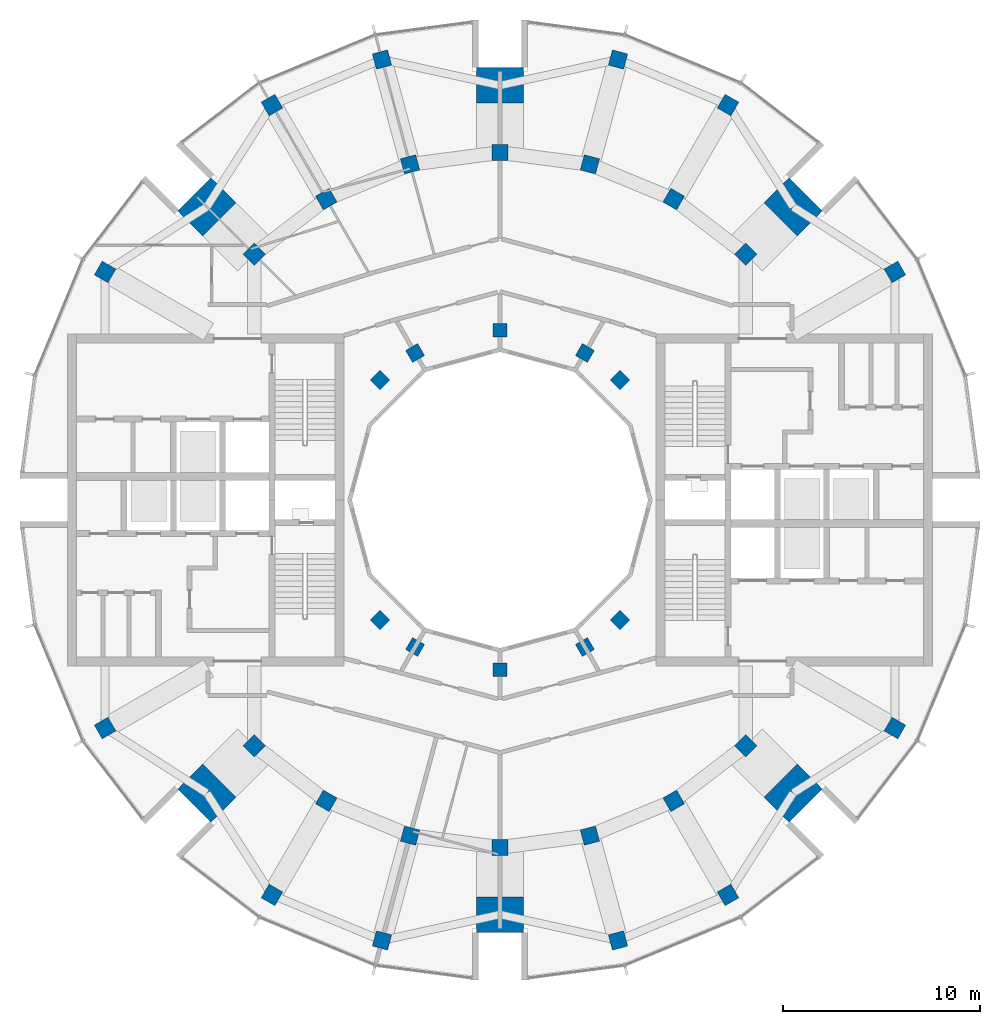
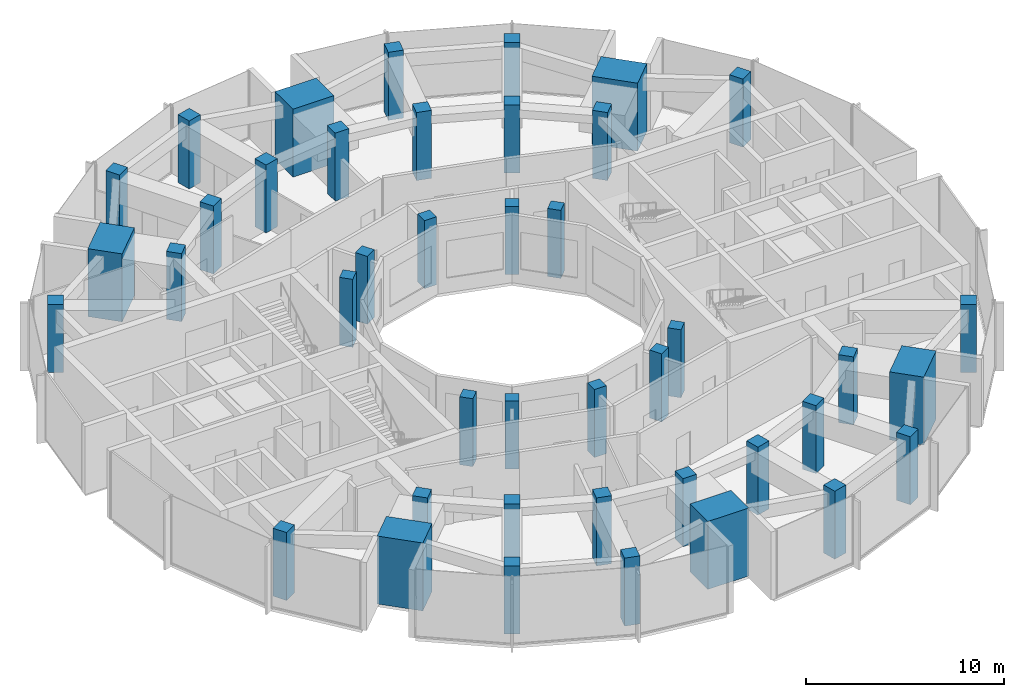
# One storey, part 1 of 14: 42 columns.
"""IFC4 building model written with IfcOpenShell, lengths in metres."""

import ifcopenshell
import ifcopenshell.guid

model = None  # the IFC model being written
_history = None  # IfcOwnerHistory: only IFC2X3 demands one
_inside = {}  # id of a spatial element -> (the spatial element, [elements in it])
_under = {}  # id of a project, library or spatial element -> (it, [spatial elements below it])
_declared = {}  # id of a project -> (the project, [libraries it declares])
_typed = {}  # id of a type object -> (the type object, [elements of that type])
_made_of = {}  # id of a material, layer set ... -> (it, [elements and type objects made of it])


def new_model(schema):
    """Start an empty IFC model of exactly this schema.

    Asked for "IFC4X3", IfcOpenShell would pick the latest addendum, in which some entities
    have other attributes; the version numbers below select the first issue.
    IFC2X3 requires an IfcOwnerHistory on every rooted entity: one is made here for all.
    """
    global model, _history
    if schema == "IFC4X3":
        model = ifcopenshell.file(schema_version=(4, 3, 0, 0))
    else:
        model = ifcopenshell.file(schema=schema)
    _inside.clear()
    _under.clear()
    _declared.clear()
    _typed.clear()
    _made_of.clear()
    _history = None
    if model.schema == "IFC2X3":
        org = make("IfcOrganization", Name="unknown")
        user = make(
            "IfcPersonAndOrganization",
            ThePerson=make("IfcPerson", FamilyName="unknown"),
            TheOrganization=org,
        )
        app = make(
            "IfcApplication",
            ApplicationDeveloper=org,
            Version="unknown",
            ApplicationFullName="unknown",
            ApplicationIdentifier="unknown",
        )
        _history = make(
            "IfcOwnerHistory",
            OwningUser=user,
            OwningApplication=app,
            ChangeAction="ADDED",
            CreationDate=0,
        )
    return model


def make(cls, **values):
    """One entity of the class cls with the attributes given. An attribute that is None is left unset."""
    return model.create_entity(
        cls, **{name: value for name, value in values.items() if value is not None}
    )


def rooted(cls, **values):
    """An entity with a GlobalId (a new one), such as an element, a storey or a relation."""
    return make(cls, GlobalId=ifcopenshell.guid.new(), OwnerHistory=_history, **values)


def si_unit(unit_type, name, prefix=None):
    """IfcSIUnit, for example si_unit("LENGTHUNIT", "METRE", prefix="MILLI")."""
    return make("IfcSIUnit", UnitType=unit_type, Prefix=prefix, Name=name)


def assignment(units):
    """IfcUnitAssignment: the units of a project."""
    return None if units is None else make("IfcUnitAssignment", Units=units)


def point(xyz):
    """IfcCartesianPoint."""
    return None if xyz is None else make("IfcCartesianPoint", Coordinates=xyz)


def direction(xyz):
    """IfcDirection."""
    return None if xyz is None else make("IfcDirection", DirectionRatios=xyz)


def frame(location, z_axis=None, x_axis=None):
    """IfcAxis2Placement3D, a coordinate frame: its origin and axes. An axis left out is left unset."""
    return make(
        "IfcAxis2Placement3D",
        Location=point(location),
        Axis=direction(z_axis),
        RefDirection=direction(x_axis),
    )


def frame_2d(location, x_axis=None):
    """IfcAxis2Placement2D, a coordinate frame in the plane: its origin and x axis."""
    return make(
        "IfcAxis2Placement2D", Location=point(location), RefDirection=direction(x_axis)
    )


def origin():
    """The frame at (0, 0, 0) with its axes left unset."""
    return frame((0.0, 0.0, 0.0))


def origin_2d():
    """The frame at (0, 0) in the plane with its x axis left unset."""
    return frame_2d((0.0, 0.0))


def place(relative_to, where):
    """IfcLocalPlacement: puts the frame where relative to a parent placement (None: the world)."""
    return make(
        "IfcLocalPlacement", PlacementRelTo=relative_to, RelativePlacement=where
    )


def context(
    kind, dimensions, precision=None, world=None, true_north=None, identifier=None
):
    """IfcGeometricRepresentationContext, for example the 3D "Model" context."""
    return make(
        "IfcGeometricRepresentationContext",
        ContextIdentifier=identifier,
        ContextType=kind,
        CoordinateSpaceDimension=dimensions,
        Precision=precision,
        WorldCoordinateSystem=world,
        TrueNorth=true_north,
    )


def subcontext(parent, identifier, kind, view, scale=None):
    """IfcGeometricRepresentationSubContext, for example "Body" below "Model"."""
    return make(
        "IfcGeometricRepresentationSubContext",
        ContextIdentifier=identifier,
        ContextType=kind,
        ParentContext=parent,
        TargetScale=scale,
        TargetView=view,
    )


def project(units=None, contexts=None):
    """IfcProject with its units and contexts."""
    return rooted(
        "IfcProject",
        Name="project",
        RepresentationContexts=contexts,
        UnitsInContext=assignment(units),
    )


def spatial(cls, under=None, at=None, **own):
    """A site, building, storey or space (cls), placed at a placement, below another one or the project."""
    s = rooted(cls, ObjectPlacement=at, **own)
    if under is not None:
        _under.setdefault(under.id(), (under, []))[1].append(s)
    return s


def profile(cls, at=None, kind="AREA", **sizes):
    """A parametric profile (cls). Its sizes go by their IFC names, for example OverallWidth=200.0."""
    return make(cls, ProfileType=kind, Position=at, **sizes)


def rectangle(**sizes):
    """IfcRectangleProfileDef."""
    return profile("IfcRectangleProfileDef", **sizes)


def extrude(swept, where, along, depth):
    """IfcExtrudedAreaSolid: the profile swept, set in the frame where, extruded along a direction by depth."""
    return make(
        "IfcExtrudedAreaSolid",
        SweptArea=swept,
        Position=where,
        ExtrudedDirection=direction(along),
        Depth=depth,
    )


def shape(context_of_items, identifier, shape_type, items):
    """IfcShapeRepresentation: the items that make up one representation, for example the "Body"."""
    return make(
        "IfcShapeRepresentation",
        ContextOfItems=context_of_items,
        RepresentationIdentifier=identifier,
        RepresentationType=shape_type,
        Items=items,
    )


def material(Name=None, Category=None):
    """IfcMaterial."""
    return make("IfcMaterial", Name=Name, Category=Category)


def material_profile(
    of_material, cross_section, Name=None, Category=None, Priority=None
):
    """IfcMaterialProfile: a cross section and its material."""
    return make(
        "IfcMaterialProfile",
        Name=Name,
        Material=of_material,
        Profile=cross_section,
        Priority=Priority,
        Category=Category,
    )


def profile_set(profiles, Name=None, composite=None):
    """IfcMaterialProfileSet."""
    return make(
        "IfcMaterialProfileSet",
        Name=Name,
        MaterialProfiles=profiles,
        CompositeProfile=composite,
    )


def made_of(thing, what):
    """Note that an element or type object is made of a material, layer set ...; save() writes the relation."""
    if what is not None:
        _made_of.setdefault(what.id(), (what, []))[1].append(thing)
    return thing


def type_object(cls, material=None, **own):
    """A type object (cls), such as IfcWallType, which elements share."""
    return made_of(rooted(cls, **own), material)


def element(
    cls,
    number,
    at=None,
    inside=None,
    cuts=None,
    type_object=None,
    material=None,
    context=None,
    identifier="Body",
    shape_type=None,
    held_by="IfcProductDefinitionShape",
    body=None,
    shapes=None,
    **own,
):
    """One element of the class cls, such as IfcWall. Its Tag is "e" and its number.

    at: its placement. inside: the storey or other place that contains it. cuts: it is an
    opening in that element (IfcRelVoidsElement). A single representation is given by context,
    identifier, shape_type and body (its items); several are given by shapes. held_by: the class
    of the entity that holds the representations. save() writes the other relations.
    """
    e = rooted(cls, Tag="e%d" % number, ObjectPlacement=at, **own)
    if body is not None:
        shapes = [shape(context, identifier, shape_type, body)]
    if shapes is not None:
        e.Representation = make(held_by, Representations=shapes)
    if inside is not None:
        _inside.setdefault(inside.id(), (inside, []))[1].append(e)
    if cuts is not None:
        rooted(
            "IfcRelVoidsElement", RelatingBuildingElement=cuts, RelatedOpeningElement=e
        )
    if type_object is not None:
        _typed.setdefault(type_object.id(), (type_object, []))[1].append(e)
    return made_of(e, material)


def aggregate(whole, parts):
    """IfcRelAggregates: a whole, such as a stair, and the parts it consists of."""
    return rooted("IfcRelAggregates", RelatingObject=whole, RelatedObjects=parts)


def save(model, path):
    """Write the relations noted so far, then the file.

    IfcRelAggregates (storeys below a building ...), IfcRelContainedInSpatialStructure (elements
    in a storey), IfcRelDefinesByType, IfcRelAssociatesMaterial and IfcRelDeclares: one each for
    every whole, place, type object, material and project.
    """
    for whole, parts in _under.values():
        aggregate(whole, parts)
    for where, things in _inside.values():
        rooted(
            "IfcRelContainedInSpatialStructure",
            RelatedElements=things,
            RelatingStructure=where,
        )
    for kind, things in _typed.values():
        rooted("IfcRelDefinesByType", RelatedObjects=things, RelatingType=kind)
    for what, things in _made_of.values():
        rooted("IfcRelAssociatesMaterial", RelatedObjects=things, RelatingMaterial=what)
    for by, libraries in _declared.values():
        rooted("IfcRelDeclares", RelatingContext=by, RelatedDefinitions=libraries)
    model.write(path)


model = new_model("IFC4")

# Units and contexts
model_context = context("Model", 3, precision=1e-05, world=origin(), true_north=direction((0.0, 1.0)))
body_context = subcontext(model_context, "Body", "Model", "MODEL_VIEW")
ifc_project = project(units=[si_unit("LENGTHUNIT", "METRE"), si_unit("AREAUNIT", "SQUARE_METRE"), si_unit("VOLUMEUNIT", "CUBIC_METRE"), si_unit("PLANEANGLEUNIT", "RADIAN"), si_unit("MASSUNIT", "GRAM", prefix="KILO")], contexts=[model_context])

# Site, building, storey
site_placement = place(None, origin())
site = spatial("IfcSite", under=ifc_project, at=site_placement, CompositionType="ELEMENT")
building_placement = place(site_placement, origin())
building = spatial("IfcBuilding", under=site, at=building_placement, Name="Torre Brocal", CompositionType="ELEMENT")
storey_placement = place(building_placement, frame((0.0, 0.0, 288.300048828125)))
storey = spatial("IfcBuildingStorey", under=building, at=storey_placement, Name="L66", CompositionType="ELEMENT", Elevation=288.300048828125)

# Columns
ifc_material_1 = material(Name="Concrete C50", Category="concrete")
ifc_material_profile_1 = material_profile(ifc_material_1, rectangle(XDim=1.800048828125, YDim=2.39990234375, at=origin_2d()), Name="RC 1800X2400")
ifc_profile_set_1 = profile_set([ifc_material_profile_1], Name="Concrete C50")
column_type_1 = type_object("IfcColumnType", Name="RC COLUMN 1800X2400 C50", PredefinedType="COLUMN", material=ifc_profile_set_1)
for number, where, z_axis, x_axis, name in (
    (1, (94.84912109375, 89.84912109375, 0.0), (0.0, 0.0, 1.0), (0.707106781187, 0.707106781187, 0.0), "Column MCA-1"),
    (2, (80.0, 96.0, 0.0), (0.0, 0.0, 1.0), (0.0, 1.0, 0.0), "Column MCA-2"),
    (3, (65.15087890625, 89.84912109375, 0.0), (0.0, 0.0, 1.0), (-0.707106781187, 0.707106781187, 0.0), "Column MCA-3"),
    (4, (65.15087890625, 60.15087890625, 0.0), (0.0, 0.0, 1.0), (-0.707106781187, -0.707106781187, 0.0), "Column MCA-5"),
    (5, (80.0, 54.0, 0.0), (0.0, 0.0, 1.0), (0.0, -1.0, 0.0), "Column MCA-6"),
    (6, (94.84912109375, 60.15087890625, 0.0), (0.0, 0.0, 1.0), (0.707106781187, -0.707106781187, 0.0), "Column MCA-7"),
):
    element("IfcColumn", number, at=place(storey_placement, frame(where, z_axis=z_axis, x_axis=x_axis)), inside=storey, type_object=column_type_1, Name=name, PredefinedType="COLUMN", context=body_context, shape_type="SweptSolid", body=[
        extrude(rectangle(XDim=1.800048828125, YDim=2.39990234375, at=origin_2d()), origin(), (0.0, 0.0, 1.0), 4.199951171875),
    ])
ifc_material_2 = material(Name="Concrete C50", Category="concrete")
ifc_material_profile_2 = material_profile(ifc_material_2, rectangle(XDim=0.699951171875, YDim=0.699951171875, at=origin_2d()), Name="RC 700X700")
ifc_profile_set_2 = profile_set([ifc_material_profile_2], Name="Concrete C50")
column_type_2 = type_object("IfcColumnType", Name="RC COLUMN 700X700 C50", PredefinedType="COLUMN", material=ifc_profile_set_2)
for number, where, z_axis, x_axis, name in (
    (7, (86.0810546875, 81.0810546875, 0.0), (0.0, 0.0, 1.0), (0.707106781187, 0.707106781187, 0.0), "Column C-I03"),
    (8, (84.300048828125, 82.44775390625, 0.0), (0.0, 0.0, 1.0), (0.5, 0.866025403784, 0.0), "Column C-I04"),
    (9, (80.0, 83.60009765625, 0.0), (0.0, 0.0, 1.0), (0.0, 1.0, 0.0), "Column C-I06"),
    (10, (75.699951171875, 82.44775390625, 0.0), (0.0, 0.0, 1.0), (-0.5, 0.866025403784, 0.0), "Column C-I08"),
    (11, (73.9189453125, 81.0810546875, 0.0), (0.0, 0.0, 1.0), (-0.707106781187, 0.707106781187, 0.0), "Column C-I09"),
    (12, (73.9189453125, 68.9189453125, 0.0), (0.0, 0.0, 1.0), (-0.707106781187, -0.707106781187, 0.0), "Column C-I15"),
    (13, (75.699951171875, 67.55224609375, 0.0), (0.0, 0.0, 1.0), (-0.5, -0.866025403784, 0.0), "Column C-I16"),
    (14, (80.0, 66.39990234375, 0.0), (0.0, 0.0, 1.0), (0.0, -1.0, 0.0), "Column C-I18"),
    (15, (84.300048828125, 67.55224609375, 0.0), (0.0, 0.0, 1.0), (0.5, -0.866025403784, 0.0), "Column C-I20"),
    (16, (86.0810546875, 68.9189453125, 0.0), (0.0, 0.0, 1.0), (0.707106781187, -0.707106781187, 0.0), "Column C-I21"),
):
    element("IfcColumn", number, at=place(storey_placement, frame(where, z_axis=z_axis, x_axis=x_axis)), inside=storey, type_object=column_type_2, Name=name, PredefinedType="COLUMN", context=body_context, shape_type="SweptSolid", body=[
        extrude(rectangle(XDim=0.699951171875, YDim=0.699951171875, at=origin_2d()), origin(), (0.0, 0.0, 1.0), 4.199951171875),
    ])
ifc_material_3 = material(Name="Concrete C50", Category="concrete")
ifc_material_profile_3 = material_profile(ifc_material_3, rectangle(XDim=0.800048828125, YDim=0.800048828125, at=origin_2d()), Name="RC 800X800")
ifc_profile_set_3 = profile_set([ifc_material_profile_3], Name="Concrete C50")
column_type_3 = type_object("IfcColumnType", Name="RC COLUMN 800X800 C50", PredefinedType="COLUMN", material=ifc_profile_set_3)
for number, where, z_axis, x_axis, name in (
    (17, (100.005126953125, 86.550048828125, 0.0), (0.0, 0.0, 1.0), (0.866025403784, 0.5, 0.0), "Column C-OA02"),
    (18, (91.550048828125, 95.005126953125, 0.0), (0.0, 0.0, 1.0), (0.5, 0.866025403784, 0.0), "Column C-OA04"),
    (19, (85.978759765625, 97.31298828125, 0.0), (0.0, 0.0, 1.0), (0.258819045103, 0.965925826289, 0.0), "Column C-OA05"),
    (20, (74.021240234375, 97.31298828125, 0.0), (0.0, 0.0, 1.0), (-0.258819045103, 0.965925826289, 0.0), "Column C-OA07"),
    (21, (68.449951171875, 95.005126953125, 0.0), (0.0, 0.0, 1.0), (-0.5, 0.866025403784, 0.0), "Column C-OA08"),
    (22, (59.994873046875, 86.550048828125, 0.0), (0.0, 0.0, 1.0), (-0.866025403784, 0.5, 0.0), "Column C-OA10"),
    (23, (59.994873046875, 63.449951171875, 0.0), (0.0, 0.0, 1.0), (-0.866025403784, -0.5, 0.0), "Column C-OA14"),
    (24, (68.449951171875, 54.994873046875, 0.0), (0.0, 0.0, 1.0), (-0.5, -0.866025403784, 0.0), "Column C-OA16"),
    (25, (74.021240234375, 52.68701171875, 0.0), (0.0, 0.0, 1.0), (-0.258819045103, -0.965925826289, 0.0), "Column C-OA17"),
    (26, (85.978759765625, 52.68701171875, 0.0), (0.0, 0.0, 1.0), (0.258819045103, -0.965925826289, 0.0), "Column C-OA19"),
    (27, (91.550048828125, 54.994873046875, 0.0), (0.0, 0.0, 1.0), (0.5, -0.866025403784, 0.0), "Column C-OA20"),
    (28, (100.005126953125, 63.449951171875, 0.0), (0.0, 0.0, 1.0), (0.866025403784, -0.5, 0.0), "Column C-OA22"),
    (29, (92.445068359375, 87.445068359375, 0.0), (0.0, 0.0, 1.0), (0.707106781187, 0.707106781187, 0.0), "Column C-M03"),
    (30, (88.800048828125, 90.241943359375, 0.0), (0.0, 0.0, 1.0), (0.5, 0.866025403784, 0.0), "Column C-M04"),
    (31, (84.55517578125, 92.000244140625, 0.0), (0.0, 0.0, 1.0), (0.258819045103, 0.965925826289, 0.0), "Column C-M05"),
    (32, (80.0, 92.60009765625, 0.0), (0.0, 0.0, 1.0), (0.0, 1.0, 0.0), "Column C-M06"),
    (33, (75.44482421875, 92.000244140625, 0.0), (0.0, 0.0, 1.0), (-0.258819045103, 0.965925826289, 0.0), "Column C-M07"),
    (34, (71.199951171875, 90.241943359375, 0.0), (0.0, 0.0, 1.0), (-0.5, 0.866025403784, 0.0), "Column C-M08"),
    (35, (67.554931640625, 87.445068359375, 0.0), (0.0, 0.0, 1.0), (-0.707106781187, 0.707106781187, 0.0), "Column C-M09"),
    (36, (67.554931640625, 62.554931640625, 0.0), (0.0, 0.0, 1.0), (-0.707106781187, -0.707106781187, 0.0), "Column C-M15"),
    (37, (71.199951171875, 59.758056640625, 0.0), (0.0, 0.0, 1.0), (-0.5, -0.866025403784, 0.0), "Column C-M16"),
    (38, (75.44482421875, 57.999755859375, 0.0), (0.0, 0.0, 1.0), (-0.258819045103, -0.965925826289, 0.0), "Column C-M17"),
    (39, (80.0, 57.39990234375, 0.0), (0.0, 0.0, 1.0), (0.0, -1.0, 0.0), "Column C-M18"),
    (40, (84.55517578125, 57.999755859375, 0.0), (0.0, 0.0, 1.0), (0.258819045103, -0.965925826289, 0.0), "Column C-M19"),
    (41, (88.800048828125, 59.758056640625, 0.0), (0.0, 0.0, 1.0), (0.5, -0.866025403784, 0.0), "Column C-M20"),
    (42, (92.445068359375, 62.554931640625, 0.0), (0.0, 0.0, 1.0), (0.707106781187, -0.707106781187, 0.0), "Column C-M21"),
):
    element("IfcColumn", number, at=place(storey_placement, frame(where, z_axis=z_axis, x_axis=x_axis)), inside=storey, type_object=column_type_3, Name=name, PredefinedType="COLUMN", context=body_context, shape_type="SweptSolid", body=[
        extrude(rectangle(XDim=0.800048828125, YDim=0.800048828125, at=origin_2d()), origin(), (0.0, 0.0, 1.0), 4.199951171875),
    ])

save(model, "model.ifc")
